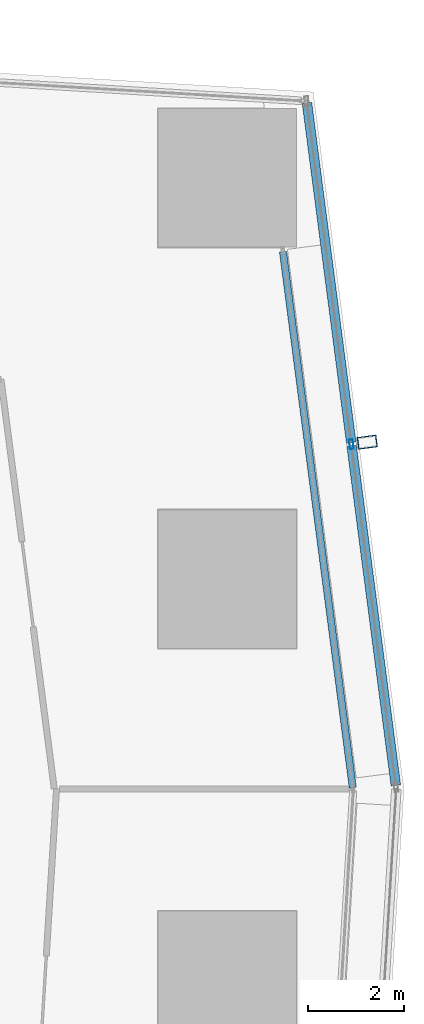
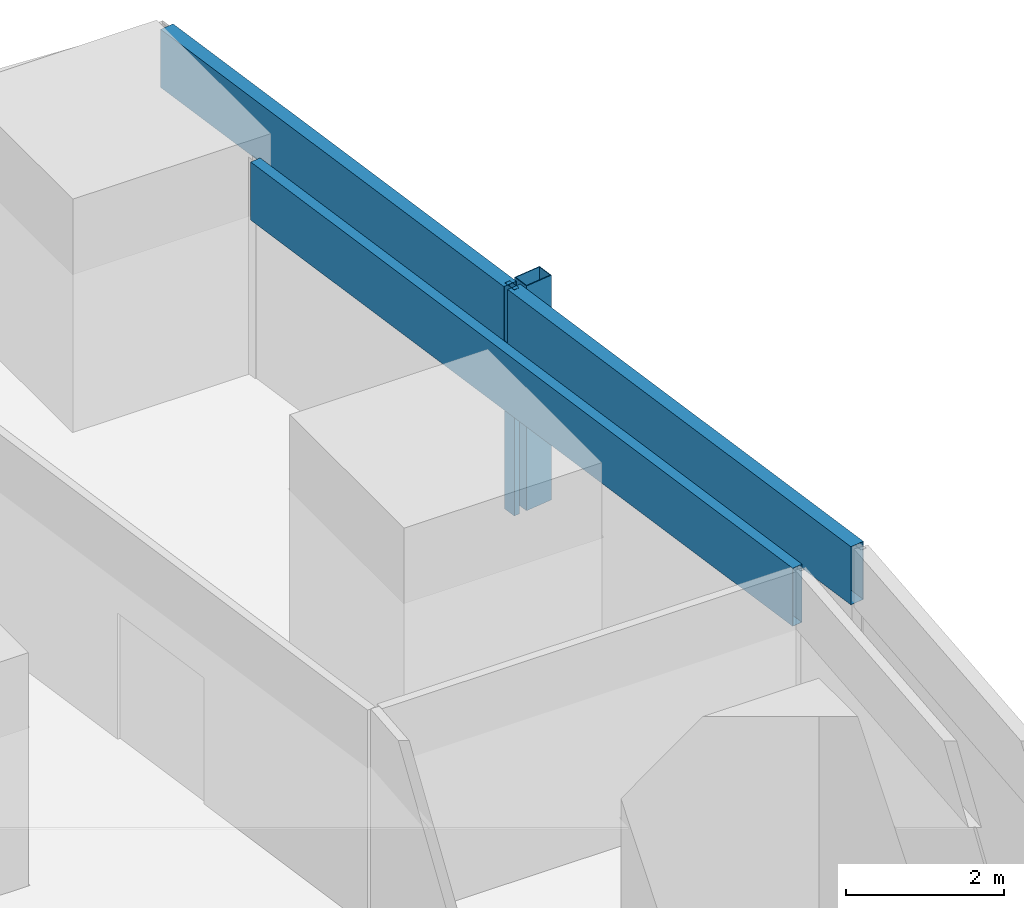
# One storey, part 26 of 40: 5 members, 2 elements without a shape of their own.
"""IFC4 building model written with IfcOpenShell, lengths in metres."""

import ifcopenshell
import ifcopenshell.guid

model = None  # the IFC model being written
_history = None  # IfcOwnerHistory: only IFC2X3 demands one
_inside = {}  # id of a spatial element -> (the spatial element, [elements in it])
_under = {}  # id of a project, library or spatial element -> (it, [spatial elements below it])
_declared = {}  # id of a project -> (the project, [libraries it declares])
_typed = {}  # id of a type object -> (the type object, [elements of that type])
_made_of = {}  # id of a material, layer set ... -> (it, [elements and type objects made of it])


def new_model(schema):
    """Start an empty IFC model of exactly this schema.

    Asked for "IFC4X3", IfcOpenShell would pick the latest addendum, in which some entities
    have other attributes; the version numbers below select the first issue.
    IFC2X3 requires an IfcOwnerHistory on every rooted entity: one is made here for all.
    """
    global model, _history
    if schema == "IFC4X3":
        model = ifcopenshell.file(schema_version=(4, 3, 0, 0))
    else:
        model = ifcopenshell.file(schema=schema)
    _inside.clear()
    _under.clear()
    _declared.clear()
    _typed.clear()
    _made_of.clear()
    _history = None
    if model.schema == "IFC2X3":
        org = make("IfcOrganization", Name="unknown")
        user = make(
            "IfcPersonAndOrganization",
            ThePerson=make("IfcPerson", FamilyName="unknown"),
            TheOrganization=org,
        )
        app = make(
            "IfcApplication",
            ApplicationDeveloper=org,
            Version="unknown",
            ApplicationFullName="unknown",
            ApplicationIdentifier="unknown",
        )
        _history = make(
            "IfcOwnerHistory",
            OwningUser=user,
            OwningApplication=app,
            ChangeAction="ADDED",
            CreationDate=0,
        )
    return model


def make(cls, **values):
    """One entity of the class cls with the attributes given. An attribute that is None is left unset."""
    return model.create_entity(
        cls, **{name: value for name, value in values.items() if value is not None}
    )


def rooted(cls, **values):
    """An entity with a GlobalId (a new one), such as an element, a storey or a relation."""
    return make(cls, GlobalId=ifcopenshell.guid.new(), OwnerHistory=_history, **values)


def si_unit(unit_type, name, prefix=None):
    """IfcSIUnit, for example si_unit("LENGTHUNIT", "METRE", prefix="MILLI")."""
    return make("IfcSIUnit", UnitType=unit_type, Prefix=prefix, Name=name)


def assignment(units):
    """IfcUnitAssignment: the units of a project."""
    return None if units is None else make("IfcUnitAssignment", Units=units)


def point(xyz):
    """IfcCartesianPoint."""
    return None if xyz is None else make("IfcCartesianPoint", Coordinates=xyz)


def direction(xyz):
    """IfcDirection."""
    return None if xyz is None else make("IfcDirection", DirectionRatios=xyz)


def frame(location, z_axis=None, x_axis=None):
    """IfcAxis2Placement3D, a coordinate frame: its origin and axes. An axis left out is left unset."""
    return make(
        "IfcAxis2Placement3D",
        Location=point(location),
        Axis=direction(z_axis),
        RefDirection=direction(x_axis),
    )


def frame_2d(location, x_axis=None):
    """IfcAxis2Placement2D, a coordinate frame in the plane: its origin and x axis."""
    return make(
        "IfcAxis2Placement2D", Location=point(location), RefDirection=direction(x_axis)
    )


def origin():
    """The frame at (0, 0, 0) with its axes left unset."""
    return frame((0.0, 0.0, 0.0))


def origin_2d():
    """The frame at (0, 0) in the plane with its x axis left unset."""
    return frame_2d((0.0, 0.0))


def place(relative_to, where):
    """IfcLocalPlacement: puts the frame where relative to a parent placement (None: the world)."""
    return make(
        "IfcLocalPlacement", PlacementRelTo=relative_to, RelativePlacement=where
    )


def context(
    kind, dimensions, precision=None, world=None, true_north=None, identifier=None
):
    """IfcGeometricRepresentationContext, for example the 3D "Model" context."""
    return make(
        "IfcGeometricRepresentationContext",
        ContextIdentifier=identifier,
        ContextType=kind,
        CoordinateSpaceDimension=dimensions,
        Precision=precision,
        WorldCoordinateSystem=world,
        TrueNorth=true_north,
    )


def subcontext(parent, identifier, kind, view, scale=None):
    """IfcGeometricRepresentationSubContext, for example "Body" below "Model"."""
    return make(
        "IfcGeometricRepresentationSubContext",
        ContextIdentifier=identifier,
        ContextType=kind,
        ParentContext=parent,
        TargetScale=scale,
        TargetView=view,
    )


def project(units=None, contexts=None):
    """IfcProject with its units and contexts."""
    return rooted(
        "IfcProject",
        Name="project",
        RepresentationContexts=contexts,
        UnitsInContext=assignment(units),
    )


def spatial(cls, under=None, at=None, **own):
    """A site, building, storey or space (cls), placed at a placement, below another one or the project."""
    s = rooted(cls, ObjectPlacement=at, **own)
    if under is not None:
        _under.setdefault(under.id(), (under, []))[1].append(s)
    return s


def profile(cls, at=None, kind="AREA", **sizes):
    """A parametric profile (cls). Its sizes go by their IFC names, for example OverallWidth=200.0."""
    return make(cls, ProfileType=kind, Position=at, **sizes)


def hollow_rectangle(**sizes):
    """IfcRectangleHollowProfileDef."""
    return profile("IfcRectangleHollowProfileDef", **sizes)


def extrude(swept, where, along, depth):
    """IfcExtrudedAreaSolid: the profile swept, set in the frame where, extruded along a direction by depth."""
    return make(
        "IfcExtrudedAreaSolid",
        SweptArea=swept,
        Position=where,
        ExtrudedDirection=direction(along),
        Depth=depth,
    )


def shape(context_of_items, identifier, shape_type, items):
    """IfcShapeRepresentation: the items that make up one representation, for example the "Body"."""
    return make(
        "IfcShapeRepresentation",
        ContextOfItems=context_of_items,
        RepresentationIdentifier=identifier,
        RepresentationType=shape_type,
        Items=items,
    )


def material(Name=None, Category=None):
    """IfcMaterial."""
    return make("IfcMaterial", Name=Name, Category=Category)


def material_profile(
    of_material, cross_section, Name=None, Category=None, Priority=None
):
    """IfcMaterialProfile: a cross section and its material."""
    return make(
        "IfcMaterialProfile",
        Name=Name,
        Material=of_material,
        Profile=cross_section,
        Priority=Priority,
        Category=Category,
    )


def profile_set(profiles, Name=None, composite=None):
    """IfcMaterialProfileSet."""
    return make(
        "IfcMaterialProfileSet",
        Name=Name,
        MaterialProfiles=profiles,
        CompositeProfile=composite,
    )


def made_of(thing, what):
    """Note that an element or type object is made of a material, layer set ...; save() writes the relation."""
    if what is not None:
        _made_of.setdefault(what.id(), (what, []))[1].append(thing)
    return thing


def type_object(cls, material=None, **own):
    """A type object (cls), such as IfcWallType, which elements share."""
    return made_of(rooted(cls, **own), material)


def element(
    cls,
    number,
    at=None,
    inside=None,
    cuts=None,
    type_object=None,
    material=None,
    context=None,
    identifier="Body",
    shape_type=None,
    held_by="IfcProductDefinitionShape",
    body=None,
    shapes=None,
    **own,
):
    """One element of the class cls, such as IfcWall. Its Tag is "e" and its number.

    at: its placement. inside: the storey or other place that contains it. cuts: it is an
    opening in that element (IfcRelVoidsElement). A single representation is given by context,
    identifier, shape_type and body (its items); several are given by shapes. held_by: the class
    of the entity that holds the representations. save() writes the other relations.
    """
    e = rooted(cls, Tag="e%d" % number, ObjectPlacement=at, **own)
    if body is not None:
        shapes = [shape(context, identifier, shape_type, body)]
    if shapes is not None:
        e.Representation = make(held_by, Representations=shapes)
    if inside is not None:
        _inside.setdefault(inside.id(), (inside, []))[1].append(e)
    if cuts is not None:
        rooted(
            "IfcRelVoidsElement", RelatingBuildingElement=cuts, RelatedOpeningElement=e
        )
    if type_object is not None:
        _typed.setdefault(type_object.id(), (type_object, []))[1].append(e)
    return made_of(e, material)


def aggregate(whole, parts):
    """IfcRelAggregates: a whole, such as a stair, and the parts it consists of."""
    return rooted("IfcRelAggregates", RelatingObject=whole, RelatedObjects=parts)


def save(model, path):
    """Write the relations noted so far, then the file.

    IfcRelAggregates (storeys below a building ...), IfcRelContainedInSpatialStructure (elements
    in a storey), IfcRelDefinesByType, IfcRelAssociatesMaterial and IfcRelDeclares: one each for
    every whole, place, type object, material and project.
    """
    for whole, parts in _under.values():
        aggregate(whole, parts)
    for where, things in _inside.values():
        rooted(
            "IfcRelContainedInSpatialStructure",
            RelatedElements=things,
            RelatingStructure=where,
        )
    for kind, things in _typed.values():
        rooted("IfcRelDefinesByType", RelatedObjects=things, RelatingType=kind)
    for what, things in _made_of.values():
        rooted("IfcRelAssociatesMaterial", RelatedObjects=things, RelatingMaterial=what)
    for by, libraries in _declared.values():
        rooted("IfcRelDeclares", RelatingContext=by, RelatedDefinitions=libraries)
    model.write(path)


model = new_model("IFC4")

# Units and contexts
model_context = context("Model", 3, precision=1e-05, world=origin(), true_north=direction((0.0, 1.0)))
body_context = subcontext(model_context, "Body", "Model", "MODEL_VIEW")
ifc_project = project(units=[si_unit("LENGTHUNIT", "METRE"), si_unit("AREAUNIT", "SQUARE_METRE"), si_unit("VOLUMEUNIT", "CUBIC_METRE"), si_unit("PLANEANGLEUNIT", "RADIAN"), si_unit("MASSUNIT", "GRAM", prefix="KILO")], contexts=[model_context])

# Site, building, storey
site_placement = place(None, origin())
site = spatial("IfcSite", under=ifc_project, at=site_placement, CompositionType="ELEMENT")
building_placement = place(site_placement, origin())
building = spatial("IfcBuilding", under=site, at=building_placement, Name="Rekha Terrace Tower", CompositionType="ELEMENT")
storey_placement = place(building_placement, frame((0.0, 0.0, 95.300048828125)))
storey = spatial("IfcBuildingStorey", under=building, at=storey_placement, Name="L23", CompositionType="ELEMENT", Elevation=95.300048828125)

# Curtain wall, member
ifc_material_1 = material(Name="Aluminium framing", Category="aluminium")
curtain_wall_type_1 = type_object("IfcCurtainWallType", Name="CW2 double skin outer glazing", PredefinedType="USERDEFINED", material=ifc_material_1)
curtain_wall_1_placement = place(storey_placement, origin())
curtain_wall_1 = element("IfcCurtainWall", 1, at=curtain_wall_1_placement, inside=storey, type_object=curtain_wall_type_1, Name="CW2 double skin outer glazing", ObjectType="DOUBLE SKIN OUTER GLAZING", PredefinedType="USERDEFINED")
ifc_material_2 = material(Name="Steel S355 with fluorocarbon finish", Category="steel")
ifc_material_profile_1 = material_profile(ifc_material_2, hollow_rectangle(XDim=0.25, YDim=0.39990234375, WallThickness=0.012451171875, at=origin_2d()), Name="RHS400x250x12.5")
ifc_profile_set_1 = profile_set([ifc_material_profile_1], Name="Steel S355 with fluorocarbon finish")
member_type_1 = type_object("IfcMemberType", Name="BL1 facade blade RHS 400 x 250", PredefinedType="USERDEFINED", material=ifc_profile_set_1)
member_1_placement = place(storey_placement, frame((70.131103515625, 53.2685546875, 0.02001953125), z_axis=(0.0, 0.0, 1.0), x_axis=(-0.129119247945, 0.991629073702, 0.0)))
member_1 = element("IfcMember", 2, at=member_1_placement, type_object=member_type_1, Name="Facade blade", ObjectType="FACADE BLADE", PredefinedType="USERDEFINED", context=body_context, shape_type="SweptSolid", body=[
    extrude(hollow_rectangle(XDim=0.25, YDim=0.39990234375, WallThickness=0.012451171875, at=origin_2d()), origin(), (0.0, 0.0, 1.0), 3.47998046875),
])

curtain_wall_type_2 = type_object("IfcCurtainWallType", Name="CW1 double skin inner glazing", PredefinedType="USERDEFINED", material=ifc_material_1)
curtain_wall_2_placement = place(storey_placement, origin())
curtain_wall_2 = element("IfcCurtainWall", 3, at=curtain_wall_2_placement, inside=storey, type_object=curtain_wall_type_2, Name="CW1 double skin inner glazing", ObjectType="DOUBLE SKIN INNER GLAZING", PredefinedType="USERDEFINED")
ifc_material_3 = material(Name="Insulated aluminium spandrel box", Category="aluminium")
ifc_material_profile_2 = material_profile(ifc_material_3, hollow_rectangle(XDim=0.14990234375, YDim=0.89990234375, WallThickness=0.0029296875, at=origin_2d()), Name="AL SPANDREL BOX 150x900")
ifc_profile_set_2 = profile_set([ifc_material_profile_2], Name="Insulated aluminium spandrel box")
member_type_2 = type_object("IfcMemberType", Name="CW1 spandrel transom 150 x 900", PredefinedType="USERDEFINED", material=ifc_profile_set_2)
member_2_placement = place(storey_placement, frame((69.827392578125, 46.0361328125, 3.050048828125), z_axis=(-0.129127889599, 0.99162794844, 0.0), x_axis=(-0.99162794844, -0.129127889599, 0.0)))
member_2 = element("IfcMember", 4, at=member_2_placement, type_object=member_type_2, Name="CW1 spandrel transom 1", ObjectType="TRANSOM", PredefinedType="USERDEFINED", context=body_context, shape_type="SweptSolid", body=[
    extrude(hollow_rectangle(XDim=0.14990234375, YDim=0.89990234375, WallThickness=0.0029296875, at=origin_2d()), origin(), (0.0, 0.0, 1.0), 11.31201171875),
])
aggregate(curtain_wall_2, [member_2])

# Member
ifc_material_4 = material(Name="Aluminium mullion section", Category="aluminium")
ifc_material_profile_3 = material_profile(ifc_material_4, hollow_rectangle(XDim=0.080078125, YDim=0.199951171875, WallThickness=0.00390625, at=origin_2d()), Name="AL RHS 80x200")
ifc_profile_set_3 = profile_set([ifc_material_profile_3], Name="Aluminium mullion section")
member_type_3 = type_object("IfcMemberType", Name="CW2 mullion RHS 80 x 200", PredefinedType="MULLION", material=ifc_profile_set_3)
member_3_placement = place(storey_placement, frame((69.798828125, 53.225341796875, 0.0), z_axis=(0.0, 0.0, 1.0), x_axis=(-0.991629186244, -0.129118383623, 0.0)))
member_3 = element("IfcMember", 5, at=member_3_placement, type_object=member_type_3, Name="CW2 mullion 2", PredefinedType="MULLION", context=body_context, shape_type="SweptSolid", body=[
    extrude(hollow_rectangle(XDim=0.080078125, YDim=0.199951171875, WallThickness=0.00390625, at=origin_2d()), origin(), (0.0, 0.0, 1.0), 3.5),
])

ifc_material_profile_4 = material_profile(ifc_material_3, hollow_rectangle(XDim=0.199951171875, YDim=0.89990234375, WallThickness=0.0029296875, at=origin_2d()), Name="AL SPANDREL BOX 200x900")
ifc_profile_set_4 = profile_set([ifc_material_profile_4], Name="Insulated aluminium spandrel box")
member_type_4 = type_object("IfcMemberType", Name="CW2 spandrel transom 200 x 900", PredefinedType="USERDEFINED", material=ifc_profile_set_4)
member_4_placement = place(storey_placement, frame((70.72900390625, 46.081787109375, 3.050048828125), z_axis=(-0.129125015962, 0.991628322635, 0.0), x_axis=(-0.991628322635, -0.129125015962, 0.0)))
member_4 = element("IfcMember", 6, at=member_4_placement, type_object=member_type_4, Name="CW2 spandrel transom 1", ObjectType="TRANSOM", PredefinedType="USERDEFINED", context=body_context, shape_type="SweptSolid", body=[
    extrude(hollow_rectangle(XDim=0.199951171875, YDim=0.89990234375, WallThickness=0.0029296875, at=origin_2d()), origin(), (0.0, 0.0, 1.0), 7.1640625),
])

member_5_placement = place(storey_placement, frame((69.793701171875, 53.26513671875, 3.050048828125), z_axis=(-0.12912937971, 0.9916277544, 0.0), x_axis=(-0.9916277544, -0.12912937971, 0.0)))
member_5 = element("IfcMember", 7, at=member_5_placement, type_object=member_type_4, Name="CW2 spandrel transom 2", ObjectType="TRANSOM", PredefinedType="USERDEFINED", context=body_context, shape_type="SweptSolid", body=[
    extrude(hollow_rectangle(XDim=0.199951171875, YDim=0.89990234375, WallThickness=0.0029296875, at=origin_2d()), origin(), (0.0, 0.0, 1.0), 7.163818359375),
])

aggregate(curtain_wall_1, [member_3, member_4, member_5, member_1])

save(model, "model.ifc")
